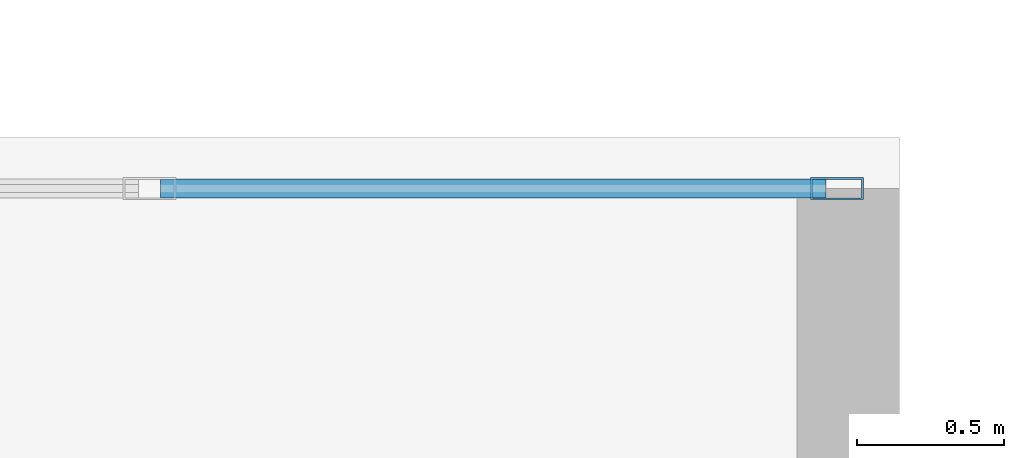
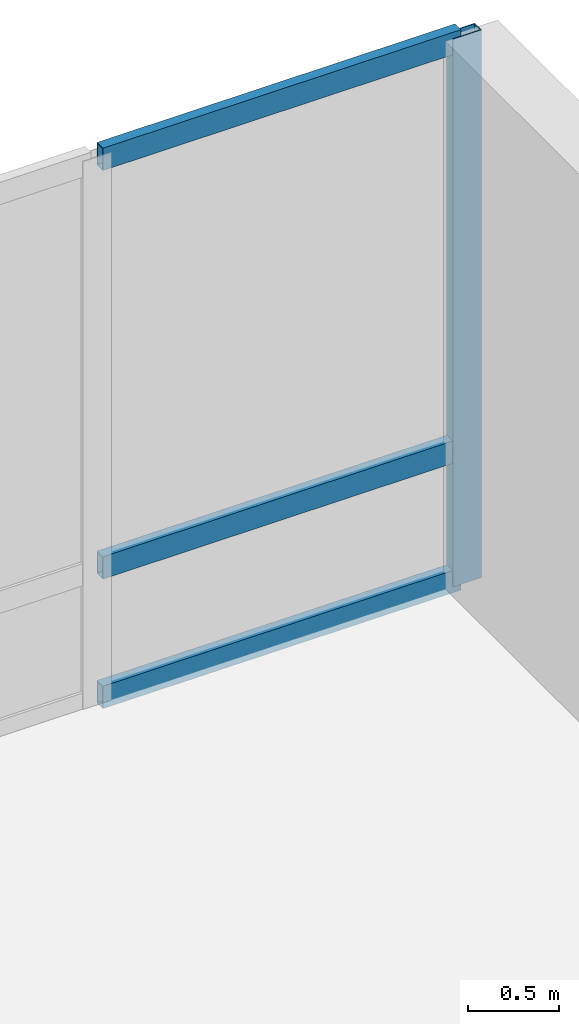
# One storey, part 4 of 15: 4 members, 1 element without a shape of its own.
"""IFC4 building model written with IfcOpenShell, lengths in metres."""

from ifc_helpers import new_model, si_unit, direction, frame, origin, origin_2d, place, context, subcontext, project, spatial, hollow_rectangle, extrude, material, layer, layer_set, material_profile, profile_set, type_object, element, aggregate, save


model = new_model("IFC4")

# Units and contexts
model_context = context("Model", 3, precision=1e-05, world=origin(), true_north=direction((0.0, 1.0)))
body_context = subcontext(model_context, "Body", "Model", "MODEL_VIEW")
ifc_project = project(units=[si_unit("LENGTHUNIT", "METRE"), si_unit("AREAUNIT", "SQUARE_METRE"), si_unit("VOLUMEUNIT", "CUBIC_METRE"), si_unit("PLANEANGLEUNIT", "RADIAN"), si_unit("MASSUNIT", "GRAM", prefix="KILO")], contexts=[model_context])

# Site, building, storey
site_placement = place(None, origin())
site = spatial("IfcSite", under=ifc_project, at=site_placement, CompositionType="ELEMENT")
building_placement = place(site_placement, origin())
building = spatial("IfcBuilding", under=site, at=building_placement, Name="Koriwani Terraces Tower", CompositionType="ELEMENT")
storey_placement = place(building_placement, frame((0.0, 0.0, 300.800048828125)))
storey = spatial("IfcBuildingStorey", under=building, at=storey_placement, Name="L74", CompositionType="ELEMENT", Elevation=300.800048828125)

# Curtain wall, members
ifc_material = material(Name="Anodised Bronze Aluminium", Category="aluminium")
ifc_layer = layer(ifc_material, 0.18994140625, Name="Anodised Bronze Aluminium")
ifc_layer_set = layer_set([ifc_layer], Name="Anodised Bronze Aluminium")
curtain_wall_type = type_object("IfcCurtainWallType", Name="CW_PENTHOUSE_ZONE5", PredefinedType="NOTDEFINED", material=ifc_layer_set)
curtain_wall_placement = place(storey_placement, origin())
curtain_wall = element("IfcCurtainWall", 1, at=curtain_wall_placement, inside=storey, type_object=curtain_wall_type, Name="L74 Unitised Curtain Wall (N_TIP) Bay 3", PredefinedType="NOTDEFINED")
ifc_material_profile_1 = material_profile(ifc_material, hollow_rectangle(XDim=0.074951171875, YDim=0.179931640625, WallThickness=0.006103515625, at=origin_2d()), Name="Anodised Bronze Aluminium", Category="LoadBearing")
ifc_profile_set_1 = profile_set([ifc_material_profile_1], Name="Anodised Bronze Aluminium")
member_type_1 = type_object("IfcMemberType", Name="CW_MULLION_180X75", PredefinedType="MULLION", material=ifc_profile_set_1)
member_1_placement = place(storey_placement, frame((30.387451171875, 75.425048828125, 0.0), z_axis=(0.0, 0.0, 1.0), x_axis=(0.0, 1.0, 0.0)))
member_1 = element("IfcMember", 2, at=member_1_placement, type_object=member_type_1, Name="CW-Z5 mullion 3", PredefinedType="MULLION", context=body_context, shape_type="SweptSolid", body=[
    extrude(hollow_rectangle(XDim=0.074951171875, YDim=0.179931640625, WallThickness=0.006103515625, at=origin_2d()), origin(), (0.0, 0.0, 1.0), 3.669921875),
])
ifc_material_profile_2 = material_profile(ifc_material, hollow_rectangle(XDim=0.06494140625, YDim=0.14990234375, WallThickness=0.0048828125, at=origin_2d()), Name="Anodised Bronze Aluminium", Category="LoadBearing")
ifc_profile_set_2 = profile_set([ifc_material_profile_2], Name="Anodised Bronze Aluminium")
member_type_2 = type_object("IfcMemberType", Name="CW_TRANSOM_150X65", PredefinedType="USERDEFINED", material=ifc_profile_set_2)
member_2_placement = place(storey_placement, frame((28.080078125, 75.425048828125, 0.032470703125), z_axis=(1.0, 0.0, 0.0), x_axis=(0.0, 1.0, 0.0)))
member_2 = element("IfcMember", 3, at=member_2_placement, type_object=member_type_2, Name="CW-Z5 transom 2.1", ObjectType="TRANSOM", PredefinedType="USERDEFINED", context=body_context, shape_type="SweptSolid", body=[
    extrude(hollow_rectangle(XDim=0.06494140625, YDim=0.14990234375, WallThickness=0.0048828125, at=origin_2d()), origin(), (0.0, 0.0, 1.0), 2.27001953125),
])
member_3_placement = place(storey_placement, frame((28.080078125, 75.425048828125, 0.89990234375), z_axis=(1.0, 0.0, 0.0), x_axis=(0.0, 1.0, 0.0)))
member_3 = element("IfcMember", 4, at=member_3_placement, type_object=member_type_2, Name="CW-Z5 transom 2.2", ObjectType="TRANSOM", PredefinedType="USERDEFINED", context=body_context, shape_type="SweptSolid", body=[
    extrude(hollow_rectangle(XDim=0.06494140625, YDim=0.14990234375, WallThickness=0.0048828125, at=origin_2d()), origin(), (0.0, 0.0, 1.0), 2.27001953125),
])
member_4_placement = place(storey_placement, frame((28.080078125, 75.425048828125, 3.637451171875), z_axis=(1.0, 0.0, 0.0), x_axis=(0.0, 1.0, 0.0)))
member_4 = element("IfcMember", 5, at=member_4_placement, type_object=member_type_2, Name="CW-Z5 transom 2.3", ObjectType="TRANSOM", PredefinedType="USERDEFINED", context=body_context, shape_type="SweptSolid", body=[
    extrude(hollow_rectangle(XDim=0.06494140625, YDim=0.14990234375, WallThickness=0.0048828125, at=origin_2d()), origin(), (0.0, 0.0, 1.0), 2.27001953125),
])
aggregate(curtain_wall, [member_1, member_2, member_3, member_4])

save(model, "model.ifc")
